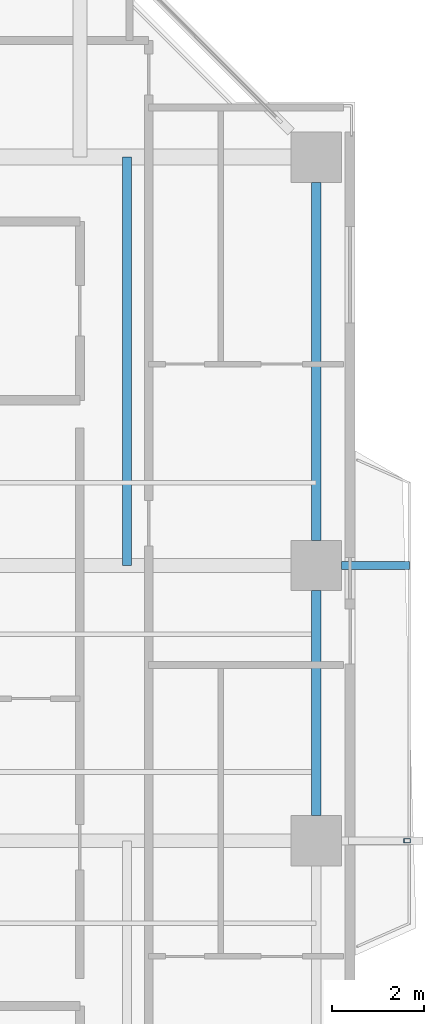
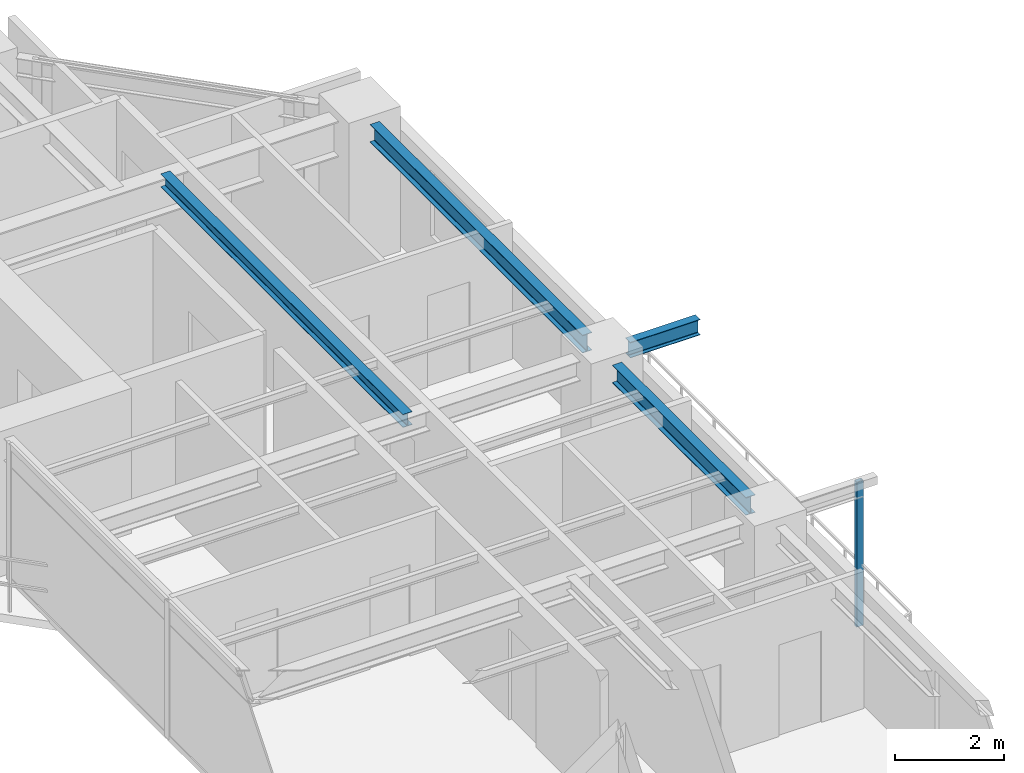
# One storey, part 7 of 17: 4 beams, 1 member.
"""IFC4 building model written with IfcOpenShell, lengths in metres."""

from ifc_helpers import new_model, si_unit, direction, frame, origin, origin_2d, place, context, subcontext, project, spatial, hollow_rectangle, i_section, extrude, source, transform, mapped, material, material_profile, profile_set, type_object, element, save


model = new_model("IFC4")

# Units and contexts
model_context = context("Model", 3, precision=1e-05, world=origin(), true_north=direction((0.0, 1.0)))
body_context = subcontext(model_context, "Body", "Model", "MODEL_VIEW")
ifc_project = project(units=[si_unit("LENGTHUNIT", "METRE"), si_unit("AREAUNIT", "SQUARE_METRE"), si_unit("VOLUMEUNIT", "CUBIC_METRE"), si_unit("PLANEANGLEUNIT", "RADIAN"), si_unit("MASSUNIT", "GRAM", prefix="KILO"), si_unit("THERMODYNAMICTEMPERATUREUNIT", "KELVIN"), si_unit("POWERUNIT", "WATT")], contexts=[model_context])

# Site, building, storey
site_placement = place(None, origin())
site = spatial("IfcSite", under=ifc_project, at=site_placement, CompositionType="ELEMENT")
building_placement = place(site_placement, origin())
building = spatial("IfcBuilding", under=site, at=building_placement, Name="Qiaomeng Ring Towers", CompositionType="ELEMENT")
storey_placement = place(building_placement, frame((0.0, 0.0, 132.75)))
storey = spatial("IfcBuildingStorey", under=building, at=storey_placement, Name="L38", CompositionType="ELEMENT", Elevation=132.75)

# Beams
ifc_material_1 = material(Name="Steel Q355B", Category="steel")
ifc_material_profile_1 = material_profile(ifc_material_1, i_section(OverallWidth=0.175048828125, OverallDepth=0.35009765625, WebThickness=0.007080078125, FlangeThickness=0.010986328125, FilletRadius=0.013916015625, at=origin_2d()), Name="HN 350x175x7x11")
ifc_profile_set_1 = profile_set([ifc_material_profile_1], Name="Steel Q355B")
beam_type_1 = type_object("IfcBeamType", Name="STR-BM-HN350", PredefinedType="JOIST", material=ifc_profile_set_1)
shared_shape_1 = source(origin(), body_context, "Body", "SweptSolid", [
    extrude(i_section(OverallWidth=0.175048828125, OverallDepth=0.35009765625, WebThickness=0.007080078125, FlangeThickness=0.010986328125, FilletRadius=0.013916015625, at=origin_2d()), origin(), (0.0, 0.0, 1.0), 1.48095703125),
])
beam_1_placement = place(storey_placement, frame((36.59912109375, 26.0, 2.89501953125), z_axis=(1.0, 0.0, 0.0), x_axis=(0.0, 1.0, 0.0)))
element("IfcBeam", 1, at=beam_1_placement, inside=storey, type_object=beam_type_1, Name="L38 beam STR-BALBM-L38-E3", PredefinedType="JOIST", context=body_context, shape_type="MappedRepresentation", body=[
    mapped(shared_shape_1, transform((0.0, 0.0, 0.0), x_axis=(1.0, 0.0, 0.0), y_axis=(0.0, 1.0, 0.0), z_axis=(0.0, 0.0, 1.0), scale=1.0)),
])
ifc_material_profile_2 = material_profile(ifc_material_1, i_section(OverallWidth=0.199951171875, OverallDepth=0.39990234375, WebThickness=0.008056640625, FlangeThickness=0.012939453125, FilletRadius=0.01611328125, at=origin_2d()), Name="HN 400x200x8x13")
ifc_profile_set_2 = profile_set([ifc_material_profile_2], Name="Steel Q355B")
beam_type_2 = type_object("IfcBeamType", Name="STR-BM-HN400", PredefinedType="SPANDREL", material=ifc_profile_set_2)
shared_shape_2 = source(origin(), body_context, "Body", "SweptSolid", [
    extrude(i_section(OverallWidth=0.199951171875, OverallDepth=0.39990234375, WebThickness=0.008056640625, FlangeThickness=0.012939453125, FilletRadius=0.01611328125, at=origin_2d()), origin(), (0.0, 0.0, 1.0), 7.802001953125),
])
beam_2_placement = place(storey_placement, frame((36.050048828125, 26.549072265625, 2.8701171875), z_axis=(0.0, 1.0, 0.0), x_axis=(-1.0, 0.0, 0.0)))
element("IfcBeam", 2, at=beam_2_placement, inside=storey, type_object=beam_type_2, Name="L38 beam STR-SP-L38-T1-E3-E4", PredefinedType="SPANDREL", context=body_context, shape_type="MappedRepresentation", body=[
    mapped(shared_shape_2, transform((0.0, 0.0, 0.0), x_axis=(1.0, 0.0, 0.0), y_axis=(0.0, 1.0, 0.0), z_axis=(0.0, 0.0, 1.0), scale=1.0)),
])
shared_shape_3 = source(origin(), body_context, "Body", "SweptSolid", [
    extrude(i_section(OverallWidth=0.199951171875, OverallDepth=0.39990234375, WebThickness=0.008056640625, FlangeThickness=0.012939453125, FilletRadius=0.01611328125, at=origin_2d()), origin(), (0.0, 0.0, 1.0), 4.90185546875),
])
beam_3_placement = place(storey_placement, frame((36.050048828125, 20.549072265625, 2.8701171875), z_axis=(0.0, 1.0, 0.0), x_axis=(-1.0, 0.0, 0.0)))
element("IfcBeam", 3, at=beam_3_placement, inside=storey, type_object=beam_type_2, Name="L38 beam STR-SP-L38-T1-E2-E3", PredefinedType="SPANDREL", context=body_context, shape_type="MappedRepresentation", body=[
    mapped(shared_shape_3, transform((0.0, 0.0, 0.0), x_axis=(1.0, 0.0, 0.0), y_axis=(0.0, 1.0, 0.0), z_axis=(0.0, 0.0, 1.0), scale=1.0)),
])
ifc_material_profile_3 = material_profile(ifc_material_1, i_section(OverallWidth=0.199951171875, OverallDepth=0.2939453125, WebThickness=0.008056640625, FlangeThickness=0.011962890625, FilletRadius=0.01806640625, at=origin_2d()), Name="HM 294x200x8x12")
ifc_profile_set_3 = profile_set([ifc_material_profile_3], Name="Steel Q355B")
beam_type_3 = type_object("IfcBeamType", Name="STR-BM-HM294", PredefinedType="JOIST", material=ifc_profile_set_3)
shared_shape_4 = source(origin(), body_context, "Body", "SweptSolid", [
    extrude(i_section(OverallWidth=0.199951171875, OverallDepth=0.2939453125, WebThickness=0.008056640625, FlangeThickness=0.011962890625, FilletRadius=0.01806640625, at=origin_2d()), origin(), (0.0, 0.0, 1.0), 8.89990234375),
])
beam_4_placement = place(storey_placement, frame((31.925048828125, 26.0, 2.923095703125), z_axis=(0.0, 1.0, 0.0), x_axis=(-1.0, 0.0, 0.0)))
element("IfcBeam", 4, at=beam_4_placement, inside=storey, type_object=beam_type_3, Name="L38 beam STR-JST-L38-T1C-EN", PredefinedType="JOIST", context=body_context, shape_type="MappedRepresentation", body=[
    mapped(shared_shape_4, transform((0.0, 0.0, 0.0), x_axis=(1.0, 0.0, 0.0), y_axis=(0.0, 1.0, 0.0), z_axis=(0.0, 0.0, 1.0), scale=1.0)),
])

# Member
ifc_material_2 = material(Name="Stainless steel 316", Category="steel")
ifc_material_profile_4 = material_profile(ifc_material_2, hollow_rectangle(XDim=0.090087890625, YDim=0.139892578125, WallThickness=0.0048828125, at=origin_2d()), Name="SS TRELLIS 90x140")
ifc_profile_set_4 = profile_set([ifc_material_profile_4], Name="Stainless steel 316")
member_type = type_object("IfcMemberType", Name="ARC-TR-POST1", PredefinedType="STUD", material=ifc_profile_set_4)
shared_shape_5 = source(origin(), body_context, "Body", "SweptSolid", [
    extrude(hollow_rectangle(XDim=0.090087890625, YDim=0.139892578125, WallThickness=0.0048828125, at=origin_2d()), origin(), (0.0, 0.0, 1.0), 3.25),
])
member_placement = place(storey_placement, frame((38.030029296875, 20.0, -0.179931640625), z_axis=(0.0, 0.0, 1.0), x_axis=(0.0, 1.0, 0.0)))
element("IfcMember", 5, at=member_placement, inside=storey, type_object=member_type, Name="L38 Outer Ventilated Trellis Post E", PredefinedType="STUD", context=body_context, shape_type="MappedRepresentation", body=[
    mapped(shared_shape_5, transform((0.0, 0.0, 0.0), x_axis=(1.0, 0.0, 0.0), y_axis=(0.0, 1.0, 0.0), z_axis=(0.0, 0.0, 1.0), scale=1.0)),
])

save(model, "model.ifc")
